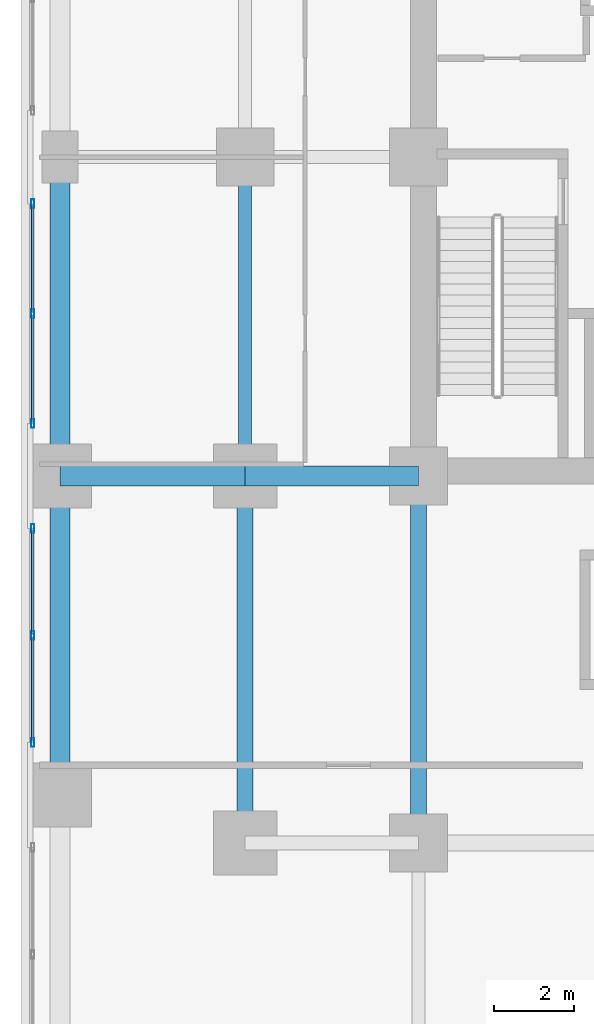
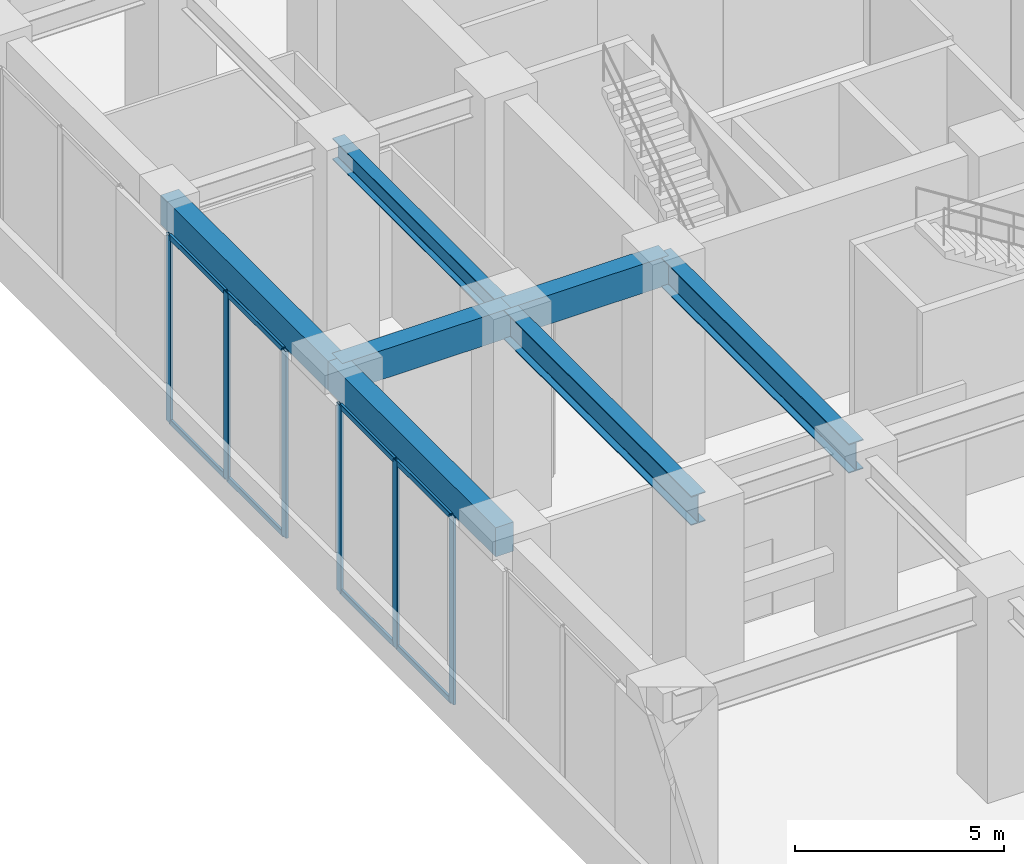
# One storey, part 7 of 34: 14 members, 7 beams, 2 elements without a shape of their own.
"""IFC4 building model written with IfcOpenShell, lengths in metres."""

from ifc_helpers import new_model, si_unit, direction, frame, origin, origin_2d, place, context, subcontext, project, spatial, rectangle, hollow_rectangle, i_section, extrude, source, transform, mapped, material, material_profile, profile_set, type_object, element, aggregate, save


model = new_model("IFC4")

# Units and contexts
model_context = context("Model", 3, precision=1e-05, world=origin(), true_north=direction((0.0, 1.0)))
body_context = subcontext(model_context, "Body", "Model", "MODEL_VIEW")
ifc_project = project(units=[si_unit("LENGTHUNIT", "METRE"), si_unit("AREAUNIT", "SQUARE_METRE"), si_unit("VOLUMEUNIT", "CUBIC_METRE"), si_unit("PLANEANGLEUNIT", "RADIAN"), si_unit("MASSUNIT", "GRAM", prefix="KILO")], contexts=[model_context])

# Site, building, storey
site_placement = place(None, origin())
site = spatial("IfcSite", under=ifc_project, at=site_placement, CompositionType="ELEMENT")
building_placement = place(site_placement, origin())
building = spatial("IfcBuilding", under=site, at=building_placement, Name="Torre Montelarca", CompositionType="ELEMENT")
storey_placement = place(building_placement, frame((0.0, 0.0, 6.0)))
storey = spatial("IfcBuildingStorey", under=building, at=storey_placement, Name="L02", CompositionType="ELEMENT", Elevation=6.0)

# Beams
ifc_material_1 = material(Name="Concrete C55/67", Category="concrete")
ifc_material_profile_1 = material_profile(ifc_material_1, rectangle(XDim=0.5, YDim=0.85009765625, at=origin_2d()), Name="RCB500X850", Category="concrete")
ifc_profile_set_1 = profile_set([ifc_material_profile_1], Name="Concrete C55/67")
beam_type_1 = type_object("IfcBeamType", Name="BM-SP-RC850-EXT", PredefinedType="SPANDREL", material=ifc_profile_set_1)
shared_shape_1 = source(origin(), body_context, "Body", "SweptSolid", [
    extrude(rectangle(XDim=0.5, YDim=0.85009765625, at=origin_2d()), origin(), (0.0, 0.0, 1.0), 4.64990234375),
])
beam_1_placement = place(storey_placement, frame((0.0, 24.0, 5.31494140625), z_axis=(1.0, 0.0, 0.0), x_axis=(0.0, 1.0, 0.0)))
element("IfcBeam", 1, at=beam_1_placement, inside=storey, type_object=beam_type_1, Name="L02 Grid Girder X 0.0-4.7 at Y=24.0", PredefinedType="SPANDREL", context=body_context, shape_type="MappedRepresentation", body=[
    mapped(shared_shape_1, transform((0.0, 0.0, 0.0), scale=1.0)),
])
shared_shape_2 = source(origin(), body_context, "Body", "SweptSolid", [
    extrude(rectangle(XDim=0.5, YDim=0.85009765625, at=origin_2d()), origin(), (0.0, 0.0, 1.0), 4.35009765625),
])
beam_2_placement = place(storey_placement, frame((4.64990234375, 24.0, 5.31494140625), z_axis=(1.0, 0.0, 0.0), x_axis=(0.0, 1.0, 0.0)))
element("IfcBeam", 2, at=beam_2_placement, inside=storey, type_object=beam_type_1, Name="L02 Grid Girder X 4.7-9.0 at Y=24.0", PredefinedType="SPANDREL", context=body_context, shape_type="MappedRepresentation", body=[
    mapped(shared_shape_2, transform((0.0, 0.0, 0.0), scale=1.0)),
])
shared_shape_3 = source(origin(), body_context, "Body", "SweptSolid", [
    extrude(rectangle(XDim=0.5, YDim=0.85009765625, at=origin_2d()), origin(), (0.0, 0.0, 1.0), 8.0),
])
for number, where, z_axis, x_axis, name in (
    (3, (0.0, 16.0, 5.31494140625), (0.0, 1.0, 0.0), (-1.0, 0.0, 0.0), "L02 Grid Girder Y 16.0-24.0 at X=0.0"),
    (4, (0.0, 24.0, 5.31494140625), (0.0, 1.0, 0.0), (-1.0, 0.0, 0.0), "L02 Grid Girder Y 24.0-32.0 at X=0.0"),
):
    element("IfcBeam", number, at=place(storey_placement, frame(where, z_axis=z_axis, x_axis=x_axis)), inside=storey, type_object=beam_type_1, Name=name, PredefinedType="SPANDREL", context=body_context, shape_type="MappedRepresentation", body=[
        mapped(shared_shape_3, transform((0.0, 0.0, 0.0), scale=1.0)),
    ])
ifc_material_2 = material(Name="Steel ASTM A992 Grade 50", Category="steel")
ifc_material_profile_2 = material_profile(ifc_material_2, i_section(OverallWidth=0.39990234375, OverallDepth=0.85498046875, WebThickness=0.018310546875, FlangeThickness=0.029296875, FilletRadius=0.02001953125, at=origin_2d()), Name="W840X299", Category="steel")
ifc_profile_set_2 = profile_set([ifc_material_profile_2], Name="Steel ASTM A992 Grade 50")
beam_type_2 = type_object("IfcBeamType", Name="BM-G-W840", PredefinedType="BEAM", material=ifc_profile_set_2)
shared_shape_4 = source(origin(), body_context, "Body", "SweptSolid", [
    extrude(i_section(OverallWidth=0.39990234375, OverallDepth=0.85498046875, WebThickness=0.018310546875, FlangeThickness=0.029296875, FilletRadius=0.02001953125, at=origin_2d()), origin(), (0.0, 0.0, 1.0), 9.199951171875),
])
for number, where, z_axis, x_axis, name in (
    (5, (4.64990234375, 14.800048828125, 5.31201171875), (0.0, 1.0, 0.0), (-1.0, 0.0, 0.0), "L02 Grid Girder Y 14.8-24.0 at X=4.7"),
    (6, (9.0, 14.800048828125, 5.31201171875), (0.0, 1.0, 0.0), (-1.0, 0.0, 0.0), "L02 Grid Girder Y 14.8-24.0 at X=9.0"),
):
    element("IfcBeam", number, at=place(storey_placement, frame(where, z_axis=z_axis, x_axis=x_axis)), inside=storey, type_object=beam_type_2, Name=name, PredefinedType="BEAM", context=body_context, shape_type="MappedRepresentation", body=[
        mapped(shared_shape_4, transform((0.0, 0.0, 0.0), scale=1.0)),
    ])
ifc_material_profile_3 = material_profile(ifc_material_2, i_section(OverallWidth=0.326904296875, OverallDepth=0.6220703125, WebThickness=0.015380859375, FlangeThickness=0.0244140625, FilletRadius=0.014892578125, at=origin_2d()), Name="W610X195", Category="steel")
ifc_profile_set_3 = profile_set([ifc_material_profile_3], Name="Steel ASTM A992 Grade 50")
beam_type_3 = type_object("IfcBeamType", Name="BM-G-W610H", PredefinedType="BEAM", material=ifc_profile_set_3)
shared_shape_5 = source(origin(), body_context, "Body", "SweptSolid", [
    extrude(i_section(OverallWidth=0.326904296875, OverallDepth=0.6220703125, WebThickness=0.015380859375, FlangeThickness=0.0244140625, FilletRadius=0.014892578125, at=origin_2d()), origin(), (0.0, 0.0, 1.0), 8.0),
])
beam_3_placement = place(storey_placement, frame((4.64990234375, 24.0, 5.428955078125), z_axis=(0.0, 1.0, 0.0), x_axis=(-1.0, 0.0, 0.0)))
element("IfcBeam", 7, at=beam_3_placement, inside=storey, type_object=beam_type_3, Name="L02 Grid Girder Y 24.0-32.0 at X=4.7", PredefinedType="BEAM", context=body_context, shape_type="MappedRepresentation", body=[
    mapped(shared_shape_5, transform((0.0, 0.0, 0.0), scale=1.0)),
])

# Curtain wall, members
ifc_material_3 = material(Name="Insulated low-E laminated glass", Category="glass")
curtain_wall_type = type_object("IfcCurtainWallType", Name="CW-SYS-POD2", PredefinedType="USERDEFINED", material=ifc_material_3)
curtain_wall_1_placement = place(storey_placement, origin())
curtain_wall_1 = element("IfcCurtainWall", 8, at=curtain_wall_1_placement, inside=storey, type_object=curtain_wall_type, Name="L02 Curtain Wall Run CW-T3-L02-E10-B2", ObjectType="UNITISED GLAZING", PredefinedType="USERDEFINED")
ifc_material_4 = material(Name="Anodised aluminium AA 6063-T6", Category="aluminium")
ifc_material_profile_4 = material_profile(ifc_material_4, hollow_rectangle(XDim=0.074951171875, YDim=0.219970703125, WallThickness=0.0048828125, InnerFilletRadius=0.0048828125, OuterFilletRadius=0.010009765625, at=origin_2d()), Name="ALU75X220X5", Category="aluminium")
ifc_profile_set_4 = profile_set([ifc_material_profile_4], Name="Anodised aluminium AA 6063-T6")
member_type_1 = type_object("IfcMemberType", Name="CWM-ALU220", PredefinedType="MULLION", material=ifc_profile_set_4)
shared_shape_6 = source(origin(), body_context, "Body", "SweptSolid", [
    extrude(hollow_rectangle(XDim=0.074951171875, YDim=0.219970703125, WallThickness=0.0048828125, InnerFilletRadius=0.0048828125, OuterFilletRadius=0.010009765625, at=origin_2d()), origin(), (0.0, 0.0, 1.0), 5.449951171875),
])
member_1_placement = place(storey_placement, frame((-0.679931640625, 30.83251953125, 0.0), z_axis=(0.0, 0.0, 1.0), x_axis=(1.0, 0.0, 0.0)))
member_1 = element("IfcMember", 9, at=member_1_placement, type_object=member_type_1, Name="CW mullion 1", PredefinedType="MULLION", context=body_context, shape_type="MappedRepresentation", body=[
    mapped(shared_shape_6, transform((0.0, 0.0, 0.0), scale=1.0)),
])
member_2_placement = place(storey_placement, frame((-0.679931640625, 28.074951171875, 0.0), z_axis=(0.0, 0.0, 1.0), x_axis=(1.0, 0.0, 0.0)))
member_2 = element("IfcMember", 10, at=member_2_placement, type_object=member_type_1, Name="CW mullion 2", PredefinedType="MULLION", context=body_context, shape_type="MappedRepresentation", body=[
    mapped(shared_shape_6, transform((0.0, 0.0, 0.0), scale=1.0)),
])
member_3_placement = place(storey_placement, frame((-0.679931640625, 25.3173828125, 0.0), z_axis=(0.0, 0.0, 1.0), x_axis=(1.0, 0.0, 0.0)))
member_3 = element("IfcMember", 11, at=member_3_placement, type_object=member_type_1, Name="CW mullion 3", PredefinedType="MULLION", context=body_context, shape_type="MappedRepresentation", body=[
    mapped(shared_shape_6, transform((0.0, 0.0, 0.0), scale=1.0)),
])

curtain_wall_2_placement = place(storey_placement, origin())
curtain_wall_2 = element("IfcCurtainWall", 12, at=curtain_wall_2_placement, inside=storey, type_object=curtain_wall_type, Name="L02 Curtain Wall Run CW-T3-L02-E10-B3", ObjectType="UNITISED GLAZING", PredefinedType="USERDEFINED")
member_4_placement = place(storey_placement, frame((-0.679931640625, 22.6826171875, 0.0), z_axis=(0.0, 0.0, 1.0), x_axis=(1.0, 0.0, 0.0)))
member_4 = element("IfcMember", 13, at=member_4_placement, type_object=member_type_1, Name="CW mullion 1", PredefinedType="MULLION", context=body_context, shape_type="MappedRepresentation", body=[
    mapped(shared_shape_6, transform((0.0, 0.0, 0.0), scale=1.0)),
])
member_5_placement = place(storey_placement, frame((-0.679931640625, 20.0, 0.0), z_axis=(0.0, 0.0, 1.0), x_axis=(1.0, 0.0, 0.0)))
member_5 = element("IfcMember", 14, at=member_5_placement, type_object=member_type_1, Name="CW mullion 2", PredefinedType="MULLION", context=body_context, shape_type="MappedRepresentation", body=[
    mapped(shared_shape_6, transform((0.0, 0.0, 0.0), scale=1.0)),
])
member_6_placement = place(storey_placement, frame((-0.679931640625, 17.3173828125, 0.0), z_axis=(0.0, 0.0, 1.0), x_axis=(1.0, 0.0, 0.0)))
member_6 = element("IfcMember", 15, at=member_6_placement, type_object=member_type_1, Name="CW mullion 3", PredefinedType="MULLION", context=body_context, shape_type="MappedRepresentation", body=[
    mapped(shared_shape_6, transform((0.0, 0.0, 0.0), scale=1.0)),
])
ifc_material_profile_5 = material_profile(ifc_material_4, hollow_rectangle(XDim=0.074951171875, YDim=0.159912109375, WallThickness=0.0048828125, InnerFilletRadius=0.0048828125, OuterFilletRadius=0.010009765625, at=origin_2d()), Name="ALU75X160X5", Category="aluminium")
ifc_profile_set_5 = profile_set([ifc_material_profile_5], Name="Anodised aluminium AA 6063-T6")
member_type_2 = type_object("IfcMemberType", Name="CWT-ALU160", PredefinedType="USERDEFINED", material=ifc_profile_set_5)
shared_shape_7 = source(origin(), body_context, "Body", "SweptSolid", [
    extrude(hollow_rectangle(XDim=0.074951171875, YDim=0.159912109375, WallThickness=0.0048828125, InnerFilletRadius=0.0048828125, OuterFilletRadius=0.010009765625, at=origin_2d()), origin(), (0.0, 0.0, 1.0), 2.607421875),
])
member_7_placement = place(storey_placement, frame((-0.679931640625, 22.64501953125, 0.03759765625), z_axis=(0.0, -1.0, 0.0), x_axis=(1.0, 0.0, 0.0)))
member_7 = element("IfcMember", 16, at=member_7_placement, type_object=member_type_2, Name="CW transom 1.1", ObjectType="TRANSOM", PredefinedType="USERDEFINED", context=body_context, shape_type="MappedRepresentation", body=[
    mapped(shared_shape_7, transform((0.0, 0.0, 0.0), scale=1.0)),
])
member_8_placement = place(storey_placement, frame((-0.679931640625, 22.64501953125, 5.41259765625), z_axis=(0.0, -1.0, 0.0), x_axis=(1.0, 0.0, 0.0)))
member_8 = element("IfcMember", 17, at=member_8_placement, type_object=member_type_2, Name="CW transom 1.2", ObjectType="TRANSOM", PredefinedType="USERDEFINED", context=body_context, shape_type="MappedRepresentation", body=[
    mapped(shared_shape_7, transform((0.0, 0.0, 0.0), scale=1.0)),
])
member_9_placement = place(storey_placement, frame((-0.679931640625, 19.96240234375, 0.03759765625), z_axis=(0.0, -1.0, 0.0), x_axis=(1.0, 0.0, 0.0)))
member_9 = element("IfcMember", 18, at=member_9_placement, type_object=member_type_2, Name="CW transom 2.1", ObjectType="TRANSOM", PredefinedType="USERDEFINED", context=body_context, shape_type="MappedRepresentation", body=[
    mapped(shared_shape_7, transform((0.0, 0.0, 0.0), scale=1.0)),
])
member_10_placement = place(storey_placement, frame((-0.679931640625, 19.96240234375, 5.41259765625), z_axis=(0.0, -1.0, 0.0), x_axis=(1.0, 0.0, 0.0)))
member_10 = element("IfcMember", 19, at=member_10_placement, type_object=member_type_2, Name="CW transom 2.2", ObjectType="TRANSOM", PredefinedType="USERDEFINED", context=body_context, shape_type="MappedRepresentation", body=[
    mapped(shared_shape_7, transform((0.0, 0.0, 0.0), scale=1.0)),
])
aggregate(curtain_wall_2, [member_4, member_5, member_6, member_7, member_8, member_9, member_10])

# Member
shared_shape_8 = source(origin(), body_context, "Body", "SweptSolid", [
    extrude(hollow_rectangle(XDim=0.074951171875, YDim=0.159912109375, WallThickness=0.0048828125, InnerFilletRadius=0.0048828125, OuterFilletRadius=0.010009765625, at=origin_2d()), origin(), (0.0, 0.0, 1.0), 2.682373046875),
])
member_11_placement = place(storey_placement, frame((-0.679931640625, 30.794921875, 0.03759765625), z_axis=(0.0, -1.0, 0.0), x_axis=(1.0, 0.0, 0.0)))
member_11 = element("IfcMember", 20, at=member_11_placement, type_object=member_type_2, Name="CW transom 1.1", ObjectType="TRANSOM", PredefinedType="USERDEFINED", context=body_context, shape_type="MappedRepresentation", body=[
    mapped(shared_shape_8, transform((0.0, 0.0, 0.0), scale=1.0)),
])

member_12_placement = place(storey_placement, frame((-0.679931640625, 30.794921875, 5.41259765625), z_axis=(0.0, -1.0, 0.0), x_axis=(1.0, 0.0, 0.0)))
member_12 = element("IfcMember", 21, at=member_12_placement, type_object=member_type_2, Name="CW transom 1.2", ObjectType="TRANSOM", PredefinedType="USERDEFINED", context=body_context, shape_type="MappedRepresentation", body=[
    mapped(shared_shape_8, transform((0.0, 0.0, 0.0), scale=1.0)),
])

shared_shape_9 = source(origin(), body_context, "Body", "SweptSolid", [
    extrude(hollow_rectangle(XDim=0.074951171875, YDim=0.159912109375, WallThickness=0.0048828125, InnerFilletRadius=0.0048828125, OuterFilletRadius=0.010009765625, at=origin_2d()), origin(), (0.0, 0.0, 1.0), 2.6826171875),
])
member_13_placement = place(storey_placement, frame((-0.679931640625, 28.03759765625, 0.03759765625), z_axis=(0.0, -1.0, 0.0), x_axis=(1.0, 0.0, 0.0)))
member_13 = element("IfcMember", 22, at=member_13_placement, type_object=member_type_2, Name="CW transom 2.1", ObjectType="TRANSOM", PredefinedType="USERDEFINED", context=body_context, shape_type="MappedRepresentation", body=[
    mapped(shared_shape_9, transform((0.0, 0.0, 0.0), scale=1.0)),
])

member_14_placement = place(storey_placement, frame((-0.679931640625, 28.03759765625, 5.41259765625), z_axis=(0.0, -1.0, 0.0), x_axis=(1.0, 0.0, 0.0)))
member_14 = element("IfcMember", 23, at=member_14_placement, type_object=member_type_2, Name="CW transom 2.2", ObjectType="TRANSOM", PredefinedType="USERDEFINED", context=body_context, shape_type="MappedRepresentation", body=[
    mapped(shared_shape_9, transform((0.0, 0.0, 0.0), scale=1.0)),
])

aggregate(curtain_wall_1, [member_1, member_2, member_3, member_11, member_12, member_13, member_14])

save(model, "model.ifc")
